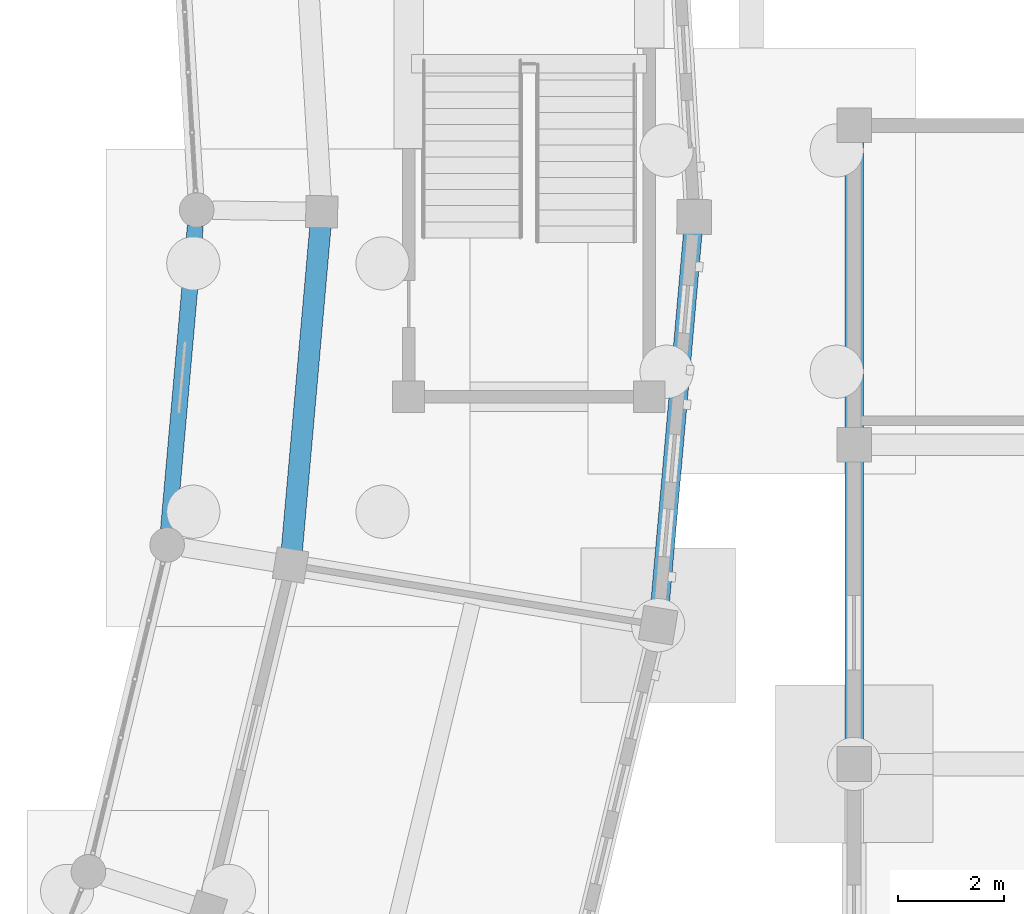
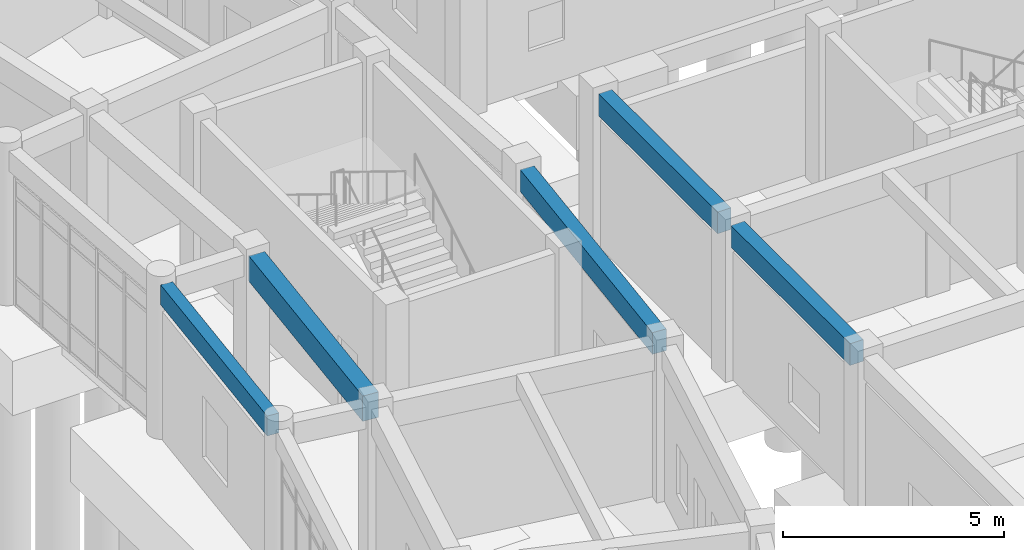
# One storey, part 88 of 153: 5 beams.
"""IFC4 building model written with IfcOpenShell, lengths in metres."""

from ifc_helpers import new_model, si_unit, direction, frame, origin, origin_2d, place, context, subcontext, project, spatial, rectangle, extrude, material, material_profile, profile_set, type_object, element, save


model = new_model("IFC4")

# Units and contexts
model_context = context("Model", 3, precision=1e-05, world=origin(), true_north=direction((0.0, 1.0)))
body_context = subcontext(model_context, "Body", "Model", "MODEL_VIEW")
ifc_project = project(units=[si_unit("LENGTHUNIT", "METRE"), si_unit("AREAUNIT", "SQUARE_METRE"), si_unit("VOLUMEUNIT", "CUBIC_METRE"), si_unit("PLANEANGLEUNIT", "RADIAN"), si_unit("MASSUNIT", "GRAM", prefix="KILO")], contexts=[model_context])

# Site, building, storey
site_placement = place(None, origin())
site = spatial("IfcSite", under=ifc_project, at=site_placement, CompositionType="ELEMENT")
building_placement = place(site_placement, origin())
building = spatial("IfcBuilding", under=site, at=building_placement, Name="Celadon Cloister-Ring School", CompositionType="ELEMENT")
storey_placement = place(building_placement, origin())
storey = spatial("IfcBuildingStorey", under=building, at=storey_placement, Name="L00", CompositionType="ELEMENT", Elevation=0.0)

# Beams
ifc_material_1 = material(Name="Concrete C35/45", Category="concrete")
ifc_material_profile_1 = material_profile(ifc_material_1, rectangle(XDim=0.35009765625, YDim=0.60009765625, at=origin_2d()), Name="RC350X600")
ifc_profile_set_1 = profile_set([ifc_material_profile_1], Name="Concrete C35/45")
beam_type_1 = type_object("IfcBeamType", Name="BT-02", PredefinedType="BEAM", material=ifc_profile_set_1)
for number, where, z_axis, x_axis, name in (
    (1, (142.0, 48.300048828125, 3.97998046875), (0.0, 1.0, 0.0), (-1.0, 0.0, 0.0), "Beam 1227"),
    (2, (142.0, 54.300048828125, 3.97998046875), (0.0, 1.0, 0.0), (-1.0, 0.0, 0.0), "Beam 1228"),
):
    element("IfcBeam", number, at=place(storey_placement, frame(where, z_axis=z_axis, x_axis=x_axis)), inside=storey, type_object=beam_type_1, Name=name, PredefinedType="BEAM", context=body_context, shape_type="SweptSolid", body=[
        extrude(rectangle(XDim=0.35009765625, YDim=0.60009765625, at=origin_2d()), origin(), (0.0, 0.0, 1.0), 5.39990234375),
    ])
ifc_material_2 = material(Name="Concrete C35/45", Category="concrete")
ifc_material_profile_2 = material_profile(ifc_material_2, rectangle(XDim=0.39990234375, YDim=0.699951171875, at=origin_2d()), Name="RC400X700")
ifc_profile_set_2 = profile_set([ifc_material_profile_2], Name="Concrete C35/45")
beam_type_2 = type_object("IfcBeamType", Name="GT-03", PredefinedType="USERDEFINED", material=ifc_profile_set_2)
beam_1_placement = place(storey_placement, frame((131.43408203125, 52.010986328125, 3.929931640625), z_axis=(0.087929921019, 0.996126663126, 0.0), x_axis=(-0.996126663126, 0.087929921019, 0.0)))
element("IfcBeam", 3, at=beam_1_placement, inside=storey, type_object=beam_type_2, Name="Beam 0170", ObjectType="GIRDER", PredefinedType="USERDEFINED", context=body_context, shape_type="SweptSolid", body=[
    extrude(rectangle(XDim=0.39990234375, YDim=0.699951171875, at=origin_2d()), origin(), (0.0, 0.0, 1.0), 6.11669921875),
])
ifc_material_3 = material(Name="Concrete C35/45", Category="concrete")
ifc_material_profile_3 = material_profile(ifc_material_3, rectangle(XDim=0.35009765625, YDim=0.60009765625, at=origin_2d()), Name="RC350X600")
ifc_profile_set_3 = profile_set([ifc_material_profile_3], Name="Concrete C35/45")
beam_type_3 = type_object("IfcBeamType", Name="SP-01", PredefinedType="SPANDREL", material=ifc_profile_set_3)
beam_2_placement = place(storey_placement, frame((138.343994140625, 50.906005859375, 3.97998046875), z_axis=(0.087985087375, 0.996121791951, 0.0), x_axis=(-0.996121791951, 0.087985087375, 0.0)))
element("IfcBeam", 4, at=beam_2_placement, inside=storey, type_object=beam_type_3, Name="Beam 0169", PredefinedType="SPANDREL", context=body_context, shape_type="SweptSolid", body=[
    extrude(rectangle(XDim=0.35009765625, YDim=0.60009765625, at=origin_2d()), origin(), (0.0, 0.0, 1.0), 7.103515625),
])
ifc_material_4 = material(Name="Concrete C35/45", Category="concrete")
ifc_material_profile_4 = material_profile(ifc_material_4, rectangle(XDim=0.300048828125, YDim=0.550048828125, at=origin_2d()), Name="RC300X550")
ifc_profile_set_4 = profile_set([ifc_material_profile_4], Name="Concrete C35/45")
beam_type_4 = type_object("IfcBeamType", Name="SP-02", PredefinedType="SPANDREL", material=ifc_profile_set_4)
beam_3_placement = place(storey_placement, frame((129.116943359375, 52.4150390625, 4.0048828125), z_axis=(0.087994739021, 0.996120939397, 0.0), x_axis=(-0.996120939397, 0.087994739021, 0.0)))
element("IfcBeam", 5, at=beam_3_placement, inside=storey, type_object=beam_type_4, Name="Beam 0171", PredefinedType="SPANDREL", context=body_context, shape_type="SweptSolid", body=[
    extrude(rectangle(XDim=0.300048828125, YDim=0.550048828125, at=origin_2d()), origin(), (0.0, 0.0, 1.0), 5.71826171875),
])

save(model, "model.ifc")
